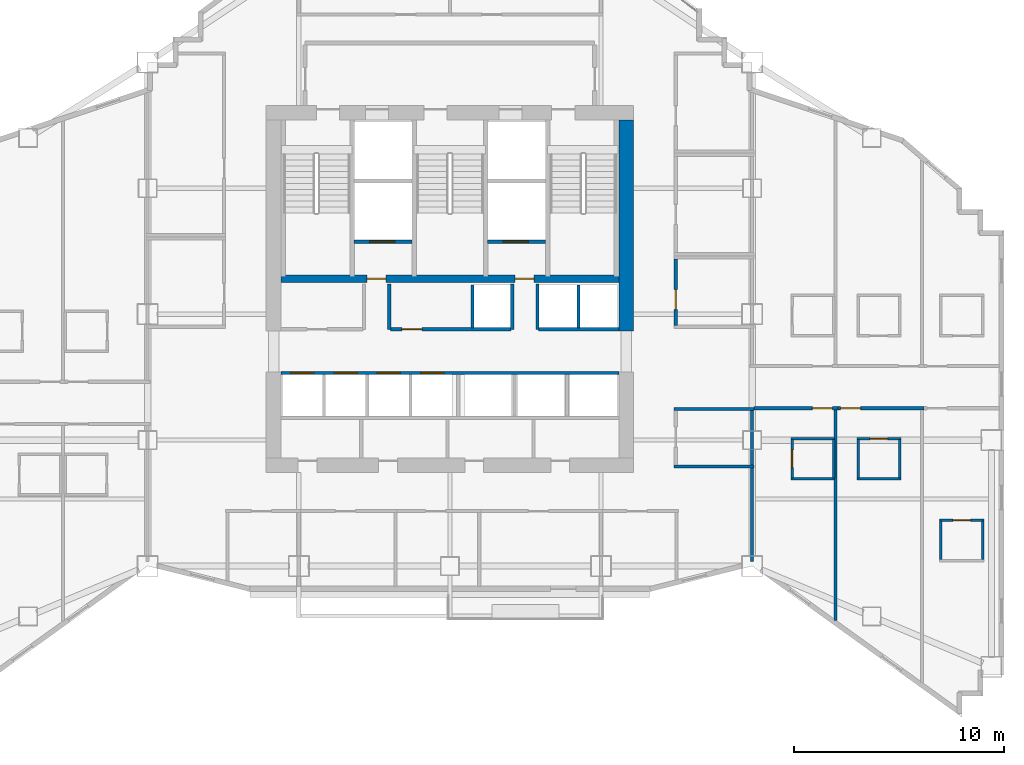
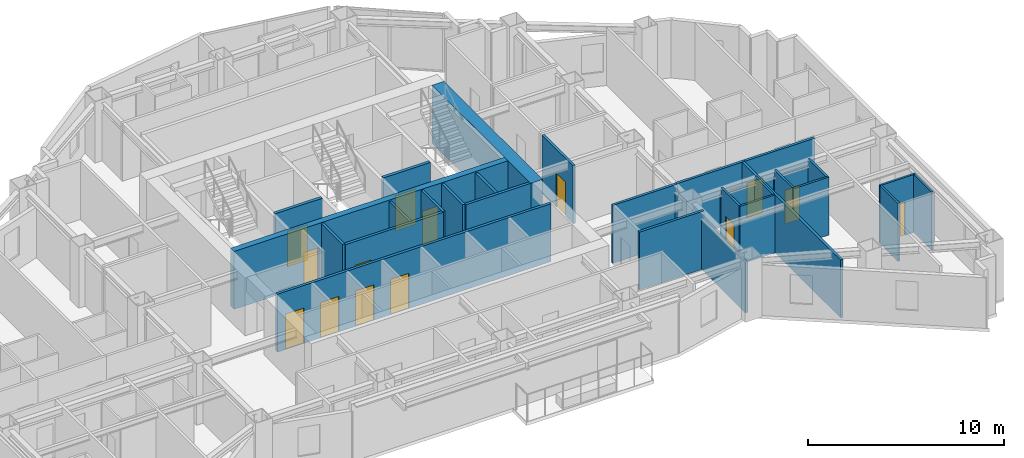
# One storey, part 8 of 13: 31 walls, 15 doors, 15 openings.
"""IFC4 building model written with IfcOpenShell, lengths in metres."""

from ifc_helpers import new_model, si_unit, direction, frame, frame_2d, origin, place, context, subcontext, project, spatial, rectangle, extrude, material, layer, layer_set, type_object, element, fill, save


model = new_model("IFC4")

# Units and contexts
model_context = context("Model", 3, precision=1e-05, world=origin(), true_north=direction((0.0, 1.0)))
body_context = subcontext(model_context, "Body", "Model", "MODEL_VIEW")
ifc_project = project(units=[si_unit("LENGTHUNIT", "METRE"), si_unit("AREAUNIT", "SQUARE_METRE"), si_unit("VOLUMEUNIT", "CUBIC_METRE"), si_unit("PLANEANGLEUNIT", "RADIAN"), si_unit("MASSUNIT", "GRAM", prefix="KILO")], contexts=[model_context])

# Site, building, storey
site_placement = place(None, origin())
site = spatial("IfcSite", under=ifc_project, at=site_placement, CompositionType="ELEMENT")
building_placement = place(site_placement, origin())
building = spatial("IfcBuilding", under=site, at=building_placement, Name="Haolan Belvedere Tower", CompositionType="ELEMENT")
storey_placement = place(building_placement, frame((0.0, 0.0, 117.39990234375)))
storey = spatial("IfcBuildingStorey", under=building, at=storey_placement, Name="L29", CompositionType="ELEMENT", Elevation=117.39990234375)

# Wall
ifc_material_1 = material(Name="Concrete C60/75", Category="concrete")
ifc_layer_1 = layer(ifc_material_1, 0.699951171875, Name="Concrete C60/75")
ifc_layer_set_1 = layer_set([ifc_layer_1], Name="Concrete C60/75")
wall_type_1 = type_object("IfcWallType", Name="WL-CORE-700", PredefinedType="SHEAR", material=ifc_layer_set_1)
wall_1_placement = place(storey_placement, frame((46.800048828125, 32.800048828125, 0.0), z_axis=(0.0, 0.0, 1.0), x_axis=(0.0, 1.0, 0.0)))
element("IfcWall", 1, at=wall_1_placement, inside=storey, type_object=wall_type_1, Name="L29 central core shear wall EN", PredefinedType="SHEAR", context=body_context, shape_type="SweptSolid", body=[
    extrude(rectangle(XDim=10.050048828125, YDim=0.699951171875, at=frame_2d((5.02490234375, 0.0))), origin(), (0.0, 0.0, 1.0), 3.60009765625),
])

# Wall, opening, door
ifc_material_2 = material(Name="Double gypsum acoustic stud partition", Category="masonry")
ifc_layer_2 = layer(ifc_material_2, 0.14990234375, Name="Double gypsum acoustic stud partition")
ifc_layer_set_2 = layer_set([ifc_layer_2], Name="Double gypsum acoustic stud partition")
wall_type_2 = type_object("IfcWallType", Name="WL-PART-150", PredefinedType="PARTITIONING", material=ifc_layer_set_2)
wall_2_placement = place(storey_placement, frame((49.159912109375, 33.06005859375, 0.0), z_axis=(0.0, 0.0, 1.0), x_axis=(0.0, 1.0, 0.0)))
wall_2 = element("IfcWall", 2, at=wall_2_placement, inside=storey, type_object=wall_type_2, Name="L29 interior partition IW-L29-AWC-W", PredefinedType="PARTITIONING", context=body_context, shape_type="SweptSolid", body=[
    extrude(rectangle(XDim=3.179931640625, YDim=0.14990234375, at=frame_2d((1.58984375, 0.0))), origin(), (0.0, 0.0, 1.0), 3.60009765625),
])
opening_1_placement = place(wall_2_placement, frame((0.760009765625, 0.0, 0.0)))
opening_1 = element("IfcOpeningElement", 3, at=opening_1_placement, cuts=wall_2, Name="Opening ID-03", PredefinedType="OPENING", context=body_context, shape_type="SweptSolid", body=[
    extrude(rectangle(XDim=0.949951171875, YDim=2.1201171875, at=frame_2d((0.47509765625, 1.06005859375))), frame((0.0, 0.0849609375, 0.0), z_axis=(0.0, -1.0, 0.0), x_axis=(1.0, 0.0, 0.0)), (0.0, 0.0, 1.0), 0.169921875),
])
ifc_material_3 = material(Name="Painted solid-core timber", Category="wood")
door_type_1 = type_object("IfcDoorType", Name="DR-INT-950", OperationType="NOTDEFINED", PredefinedType="DOOR", material=ifc_material_3)
door_1_placement = place(opening_1_placement, origin())
door_1 = element("IfcDoor", 4, at=door_1_placement, inside=storey, type_object=door_type_1, Name="L29 door ID-L29-AWC", OperationType="SINGLE_SWING_LEFT", OverallHeight=2.1201171875, OverallWidth=0.949951171875, PredefinedType="DOOR", context=body_context, shape_type="SweptSolid", body=[
    extrude(rectangle(XDim=0.949951171875, YDim=2.1201171875, at=frame_2d((0.47509765625, 1.06005859375))), frame((0.0, 0.02490234375, 0.0), z_axis=(0.0, -1.0, 0.0), x_axis=(1.0, 0.0, 0.0)), (0.0, 0.0, 1.0), 0.050048828125),
])
fill(opening_1, door_1)

# Walls
for number, where, z_axis, x_axis, name in (
    (5, (49.080078125, 29.080078125, 0.0), (0.0, 0.0, 1.0), (1.0, 0.0, 0.0), "L29 interior partition IW-L29-PKTE-N"),
    (6, (49.080078125, 26.35009765625, 0.0), (0.0, 0.0, 1.0), (1.0, 0.0, 0.0), "L29 interior partition IW-L29-PKTE-S"),
):
    element("IfcWall", number, at=place(storey_placement, frame(where, z_axis=z_axis, x_axis=x_axis)), inside=storey, type_object=wall_type_2, Name=name, PredefinedType="PARTITIONING", context=body_context, shape_type="SweptSolid", body=[
        extrude(rectangle(XDim=3.7998046875, YDim=0.14990234375, at=frame_2d((1.89990234375, 0.0))), origin(), (0.0, 0.0, 1.0), 3.60009765625),
    ])
wall_3_placement = place(storey_placement, frame((52.800048828125, 26.409912109375, 0.0), z_axis=(0.0, 0.0, 1.0), x_axis=(0.0, 1.0, 0.0)))
element("IfcWall", 7, at=wall_3_placement, inside=storey, type_object=wall_type_2, Name="L29 interior partition IW-L29-PKTE-E", PredefinedType="PARTITIONING", context=body_context, shape_type="SweptSolid", body=[
    extrude(rectangle(XDim=2.610107421875, YDim=0.14990234375, at=frame_2d((1.30517578125, 0.0))), origin(), (0.0, 0.0, 1.0), 3.14501953125),
])

# Wall, opening, door
wall_4_placement = place(storey_placement, frame((52.882080078125, 29.1201171875, 0.0), z_axis=(0.0, 0.0, 1.0), x_axis=(1.0, 0.0, 0.0)))
wall_4 = element("IfcWall", 8, at=wall_4_placement, inside=storey, type_object=wall_type_2, Name="L29 interior partition IW-L29-T4S1-N", PredefinedType="PARTITIONING", context=body_context, shape_type="SweptSolid", body=[
    extrude(rectangle(XDim=3.997802734375, YDim=0.14990234375, at=frame_2d((1.9990234375, 0.0))), origin(), (0.0, 0.0, 1.0), 3.60009765625),
])
opening_2_placement = place(wall_4_placement, frame((3.740478515625, 0.0, 0.0), z_axis=(0.0, 0.0, 1.0), x_axis=(-1.0, 0.0, 0.0)))
opening_2 = element("IfcOpeningElement", 9, at=opening_2_placement, cuts=wall_4, Name="Opening ID-02", PredefinedType="OPENING", context=body_context, shape_type="SweptSolid", body=[
    extrude(rectangle(XDim=0.949951171875, YDim=2.14990234375, at=frame_2d((0.47509765625, 1.074951171875))), frame((0.0, 0.0849609375, 0.0), z_axis=(0.0, -1.0, 0.0), x_axis=(1.0, 0.0, 0.0)), (0.0, 0.0, 1.0), 0.169921875),
])
ifc_material_4 = material(Name="Acoustic oak veneer fire-rated timber", Category="wood")
door_type_2 = type_object("IfcDoorType", Name="DR-GUEST-950", OperationType="NOTDEFINED", PredefinedType="DOOR", material=ifc_material_4)
door_2_placement = place(opening_2_placement, origin())
door_2 = element("IfcDoor", 10, at=door_2_placement, inside=storey, type_object=door_type_2, Name="L29 door ID-L29-T4S1-ENT", OperationType="SINGLE_SWING_LEFT", OverallHeight=2.14990234375, OverallWidth=0.949951171875, PredefinedType="DOOR", context=body_context, shape_type="SweptSolid", body=[
    extrude(rectangle(XDim=0.949951171875, YDim=2.14990234375, at=frame_2d((0.47509765625, 1.074951171875))), frame((0.0, 0.02490234375, 0.0), z_axis=(0.0, -1.0, 0.0), x_axis=(1.0, 0.0, 0.0)), (0.0, 0.0, 1.0), 0.050048828125),
])
fill(opening_2, door_2)

# Walls
wall_5_placement = place(storey_placement, frame((52.800048828125, 21.818603515625, 0.0), z_axis=(0.0, 0.0, 1.0), x_axis=(0.0, 1.0, 0.0)))
element("IfcWall", 11, at=wall_5_placement, inside=storey, type_object=wall_type_2, Name="L29 interior partition IW-L29-T4S1-W", PredefinedType="PARTITIONING", context=body_context, shape_type="SweptSolid", body=[
    extrude(rectangle(XDim=4.471435546875, YDim=0.14990234375, at=frame_2d((2.23583984375, 0.0))), origin(), (0.0, 0.0, 1.0), 3.14501953125),
])
wall_6_placement = place(storey_placement, frame((56.780029296875, 19.01171875, 0.0), z_axis=(0.0, 0.0, 1.0), x_axis=(0.0, 1.0, 0.0)))
element("IfcWall", 12, at=wall_6_placement, inside=storey, type_object=wall_type_2, Name="L29 interior partition IW-L29-T4S1-E", PredefinedType="PARTITIONING", context=body_context, shape_type="SweptSolid", body=[
    extrude(rectangle(XDim=10.04833984375, YDim=0.14990234375, at=frame_2d((5.024169921875, 0.0))), origin(), (0.0, 0.0, 1.0), 3.60009765625),
])

# Wall, opening, door
wall_7_placement = place(storey_placement, frame((56.882080078125, 29.1201171875, 0.0), z_axis=(0.0, 0.0, 1.0), x_axis=(1.0, 0.0, 0.0)))
wall_7 = element("IfcWall", 13, at=wall_7_placement, inside=storey, type_object=wall_type_2, Name="L29 interior partition IW-L29-T4S2-N", PredefinedType="PARTITIONING", context=body_context, shape_type="SweptSolid", body=[
    extrude(rectangle(XDim=4.10791015625, YDim=0.14990234375, at=frame_2d((2.053955078125, 0.0))), origin(), (0.0, 0.0, 1.0), 3.60009765625),
])
opening_3_placement = place(wall_7_placement, frame((1.08984375, 0.0, 0.0), z_axis=(0.0, 0.0, 1.0), x_axis=(-1.0, 0.0, 0.0)))
opening_3 = element("IfcOpeningElement", 14, at=opening_3_placement, cuts=wall_7, Name="Opening ID-02", PredefinedType="OPENING", context=body_context, shape_type="SweptSolid", body=[
    extrude(rectangle(XDim=0.949951171875, YDim=2.14990234375, at=frame_2d((0.47509765625, 1.074951171875))), frame((0.0, 0.0849609375, 0.0), z_axis=(0.0, -1.0, 0.0), x_axis=(1.0, 0.0, 0.0)), (0.0, 0.0, 1.0), 0.169921875),
])
door_3_placement = place(opening_3_placement, origin())
door_3 = element("IfcDoor", 15, at=door_3_placement, inside=storey, type_object=door_type_2, Name="L29 door ID-L29-T4S2-ENT", OperationType="SINGLE_SWING_RIGHT", OverallHeight=2.14990234375, OverallWidth=0.949951171875, PredefinedType="DOOR", context=body_context, shape_type="SweptSolid", body=[
    extrude(rectangle(XDim=0.949951171875, YDim=2.14990234375, at=frame_2d((0.47509765625, 1.074951171875))), frame((0.0, 0.02490234375, 0.0), z_axis=(0.0, -1.0, 0.0), x_axis=(1.0, 0.0, 0.0)), (0.0, 0.0, 1.0), 0.050048828125),
])
fill(opening_3, door_3)

# Walls
ifc_material_5 = material(Name="Gypsum fire shaftwall assembly", Category="masonry")
ifc_layer_3 = layer(ifc_material_5, 0.1650390625, Name="Gypsum fire shaftwall assembly")
ifc_layer_set_3 = layer_set([ifc_layer_3], Name="Gypsum fire shaftwall assembly")
wall_type_3 = type_object("IfcWallType", Name="WL-SHAFT-160", PredefinedType="SOLIDWALL", material=ifc_layer_set_3)
for number, where, z_axis, x_axis, name in (
    (16, (35.510009765625, 32.8798828125, 0.0), (0.0, 0.0, 1.0), (0.0, 1.0, 0.0), "L29 interior partition IW-L29-SVP-E-SV1"),
    (17, (41.3701171875, 32.8798828125, 0.0), (0.0, 0.0, 1.0), (0.0, 1.0, 0.0), "L29 interior partition IW-L29-SVP-W-SV2"),
    (18, (42.570068359375, 32.8798828125, 0.0), (0.0, 0.0, 1.0), (0.0, 1.0, 0.0), "L29 interior partition IW-L29-SVP-E-SV2"),
):
    element("IfcWall", number, at=place(storey_placement, frame(where, z_axis=z_axis, x_axis=x_axis)), inside=storey, type_object=wall_type_3, Name=name, PredefinedType="SOLIDWALL", context=body_context, shape_type="SweptSolid", body=[
        extrude(rectangle(XDim=2.170166015625, YDim=0.14990234375, at=frame_2d((1.0849609375, 0.0))), origin(), (0.0, 0.0, 1.0), 3.60009765625),
    ])

# Wall, opening, door
wall_8_placement = place(storey_placement, frame((35.570068359375, 32.8798828125, 0.0), z_axis=(0.0, 0.0, 1.0), x_axis=(1.0, 0.0, 0.0)))
wall_8 = element("IfcWall", 19, at=wall_8_placement, inside=storey, type_object=wall_type_3, Name="L29 interior partition IW-L29-ROW-PN2", PredefinedType="SOLIDWALL", context=body_context, shape_type="SweptSolid", body=[
    extrude(rectangle(XDim=5.739990234375, YDim=0.159912109375, at=frame_2d((2.8701171875, 0.0))), origin(), (0.0, 0.0, 1.0), 3.60009765625),
])
opening_4_placement = place(wall_8_placement, frame((1.489990234375, 0.0, 0.0), z_axis=(0.0, 0.0, 1.0), x_axis=(-1.0, 0.0, 0.0)))
opening_4 = element("IfcOpeningElement", 20, at=opening_4_placement, cuts=wall_8, Name="Opening ID-03", PredefinedType="OPENING", context=body_context, shape_type="SweptSolid", body=[
    extrude(rectangle(XDim=0.949951171875, YDim=2.1201171875, at=frame_2d((0.47509765625, 1.06005859375))), frame((0.0, 0.08984375, 0.0), z_axis=(0.0, -1.0, 0.0), x_axis=(1.0, 0.0, 0.0)), (0.0, 0.0, 1.0), 0.179931640625),
])
door_4_placement = place(opening_4_placement, origin())
door_4 = element("IfcDoor", 21, at=door_4_placement, inside=storey, type_object=door_type_1, Name="L29 door ID-L29-CD-RPLE", OperationType="SINGLE_SWING_RIGHT", OverallHeight=2.1201171875, OverallWidth=0.949951171875, PredefinedType="DOOR", context=body_context, shape_type="SweptSolid", body=[
    extrude(rectangle(XDim=0.949951171875, YDim=2.1201171875, at=frame_2d((0.47509765625, 1.06005859375))), frame((0.0, 0.02490234375, 0.0), z_axis=(0.0, -1.0, 0.0), x_axis=(1.0, 0.0, 0.0)), (0.0, 0.0, 1.0), 0.050048828125),
])
fill(opening_4, door_4)

# Walls
wall_9_placement = place(storey_placement, frame((42.6298828125, 32.8798828125, 0.0), z_axis=(0.0, 0.0, 1.0), x_axis=(1.0, 0.0, 0.0)))
element("IfcWall", 22, at=wall_9_placement, inside=storey, type_object=wall_type_3, Name="L29 interior partition IW-L29-ROW-PN3", PredefinedType="SOLIDWALL", context=body_context, shape_type="SweptSolid", body=[
    extrude(rectangle(XDim=3.820068359375, YDim=0.159912109375, at=frame_2d((1.91015625, 0.0))), origin(), (0.0, 0.0, 1.0), 3.60009765625),
])
for number, where, z_axis, x_axis, name in (
    (23, (39.469970703125, 32.949951171875, 0.0), (0.0, 0.0, 1.0), (0.0, 1.0, 0.0), "L29 interior partition IW-L29-DIV-PL4R"),
    (24, (44.530029296875, 32.949951171875, 0.0), (0.0, 0.0, 1.0), (0.0, 1.0, 0.0), "L29 interior partition IW-L29-DIV-PH2"),
):
    element("IfcWall", number, at=place(storey_placement, frame(where, z_axis=z_axis, x_axis=x_axis)), inside=storey, type_object=wall_type_3, Name=name, PredefinedType="SOLIDWALL", context=body_context, shape_type="SweptSolid", body=[
        extrude(rectangle(XDim=2.050048828125, YDim=0.14990234375, at=frame_2d((1.02490234375, 0.0))), origin(), (0.0, 0.0, 1.0), 3.60009765625),
    ])

# Wall, openings, doors
wall_10_placement = place(storey_placement, frame((30.35009765625, 30.800048828125, 0.0), z_axis=(0.0, 0.0, 1.0), x_axis=(1.0, 0.0, 0.0)))
wall_10 = element("IfcWall", 25, at=wall_10_placement, inside=storey, type_object=wall_type_3, Name="L29 interior partition IW-L29-ROW-PS", PredefinedType="SOLIDWALL", context=body_context, shape_type="SweptSolid", body=[
    extrude(rectangle(XDim=16.099853515625, YDim=0.159912109375, at=frame_2d((8.0498046875, 0.0))), origin(), (0.0, 0.0, 1.0), 3.60009765625),
])
opening_5_placement = place(wall_10_placement, frame((0.469970703125, 0.0, 0.0)))
opening_5 = element("IfcOpeningElement", 26, at=opening_5_placement, cuts=wall_10, Name="Opening LD-01", PredefinedType="OPENING", context=body_context, shape_type="SweptSolid", body=[
    extrude(rectangle(XDim=1.10009765625, YDim=2.199951171875, at=frame_2d((0.550048828125, 1.10009765625))), frame((0.0, 0.08984375, 0.0), z_axis=(0.0, -1.0, 0.0), x_axis=(1.0, 0.0, 0.0)), (0.0, 0.0, 1.0), 0.179931640625),
])
opening_6_placement = place(wall_10_placement, frame((2.530029296875, 0.0, 0.0)))
opening_6 = element("IfcOpeningElement", 27, at=opening_6_placement, cuts=wall_10, Name="Opening LD-01", PredefinedType="OPENING", context=body_context, shape_type="SweptSolid", body=[
    extrude(rectangle(XDim=1.10009765625, YDim=2.199951171875, at=frame_2d((0.550048828125, 1.10009765625))), frame((0.0, 0.08984375, 0.0), z_axis=(0.0, -1.0, 0.0), x_axis=(1.0, 0.0, 0.0)), (0.0, 0.0, 1.0), 0.179931640625),
])
opening_7_placement = place(wall_10_placement, frame((4.590087890625, 0.0, 0.0)))
opening_7 = element("IfcOpeningElement", 28, at=opening_7_placement, cuts=wall_10, Name="Opening LD-01", PredefinedType="OPENING", context=body_context, shape_type="SweptSolid", body=[
    extrude(rectangle(XDim=1.10009765625, YDim=2.199951171875, at=frame_2d((0.550048828125, 1.10009765625))), frame((0.0, 0.08984375, 0.0), z_axis=(0.0, -1.0, 0.0), x_axis=(1.0, 0.0, 0.0)), (0.0, 0.0, 1.0), 0.179931640625),
])
opening_8_placement = place(wall_10_placement, frame((6.64990234375, 0.0, 0.0)))
opening_8 = element("IfcOpeningElement", 29, at=opening_8_placement, cuts=wall_10, Name="Opening LD-01", PredefinedType="OPENING", context=body_context, shape_type="SweptSolid", body=[
    extrude(rectangle(XDim=1.10009765625, YDim=2.199951171875, at=frame_2d((0.550048828125, 1.10009765625))), frame((0.0, 0.08984375, 0.0), z_axis=(0.0, -1.0, 0.0), x_axis=(1.0, 0.0, 0.0)), (0.0, 0.0, 1.0), 0.179931640625),
])
ifc_material_6 = material(Name="Brushed champagne stainless steel 316L", Category="steel")
door_type_3 = type_object("IfcDoorType", Name="DR-LIFT-1100", OperationType="SLIDING_TO_LEFT", PredefinedType="DOOR", material=ifc_material_6)
door_5_placement = place(opening_5_placement, origin())
door_5 = element("IfcDoor", 30, at=door_5_placement, inside=storey, type_object=door_type_3, Name="L29 door ID-L29-LD-PM1", OperationType="SLIDING_TO_LEFT", OverallHeight=2.199951171875, OverallWidth=1.10009765625, PredefinedType="DOOR", context=body_context, shape_type="SweptSolid", body=[
    extrude(rectangle(XDim=1.10009765625, YDim=2.199951171875, at=frame_2d((0.550048828125, 1.10009765625))), frame((0.0, 0.02490234375, 0.0), z_axis=(0.0, -1.0, 0.0), x_axis=(1.0, 0.0, 0.0)), (0.0, 0.0, 1.0), 0.050048828125),
])
fill(opening_5, door_5)
door_6_placement = place(opening_6_placement, origin())
door_6 = element("IfcDoor", 31, at=door_6_placement, inside=storey, type_object=door_type_3, Name="L29 door ID-L29-LD-PM2", OperationType="SLIDING_TO_LEFT", OverallHeight=2.199951171875, OverallWidth=1.10009765625, PredefinedType="DOOR", context=body_context, shape_type="SweptSolid", body=[
    extrude(rectangle(XDim=1.10009765625, YDim=2.199951171875, at=frame_2d((0.550048828125, 1.10009765625))), frame((0.0, 0.02490234375, 0.0), z_axis=(0.0, -1.0, 0.0), x_axis=(1.0, 0.0, 0.0)), (0.0, 0.0, 1.0), 0.050048828125),
])
fill(opening_6, door_6)
door_7_placement = place(opening_7_placement, origin())
door_7 = element("IfcDoor", 32, at=door_7_placement, inside=storey, type_object=door_type_3, Name="L29 door ID-L29-LD-PM3", OperationType="SLIDING_TO_LEFT", OverallHeight=2.199951171875, OverallWidth=1.10009765625, PredefinedType="DOOR", context=body_context, shape_type="SweptSolid", body=[
    extrude(rectangle(XDim=1.10009765625, YDim=2.199951171875, at=frame_2d((0.550048828125, 1.10009765625))), frame((0.0, 0.02490234375, 0.0), z_axis=(0.0, -1.0, 0.0), x_axis=(1.0, 0.0, 0.0)), (0.0, 0.0, 1.0), 0.050048828125),
])
fill(opening_7, door_7)
door_8_placement = place(opening_8_placement, origin())
door_8 = element("IfcDoor", 33, at=door_8_placement, inside=storey, type_object=door_type_3, Name="L29 door ID-L29-LD-PM4", OperationType="SLIDING_TO_LEFT", OverallHeight=2.199951171875, OverallWidth=1.10009765625, PredefinedType="DOOR", context=body_context, shape_type="SweptSolid", body=[
    extrude(rectangle(XDim=1.10009765625, YDim=2.199951171875, at=frame_2d((0.550048828125, 1.10009765625))), frame((0.0, 0.02490234375, 0.0), z_axis=(0.0, -1.0, 0.0), x_axis=(1.0, 0.0, 0.0)), (0.0, 0.0, 1.0), 0.050048828125),
])
fill(opening_8, door_8)

# Wall, opening, door
ifc_material_7 = material(Name="Precast concrete C40/50", Category="concrete")
ifc_layer_4 = layer(ifc_material_7, 0.179931640625, Name="Precast concrete C40/50")
ifc_layer_set_4 = layer_set([ifc_layer_4], Name="Precast concrete C40/50")
wall_type_4 = type_object("IfcWallType", Name="WL-SHAFT-180", PredefinedType="SOLIDWALL", material=ifc_layer_set_4)
wall_11_placement = place(storey_placement, frame((33.8349609375, 37.050048828125, 0.0), z_axis=(0.0, 0.0, 1.0), x_axis=(1.0, 0.0, 0.0)))
wall_11 = element("IfcWall", 34, at=wall_11_placement, inside=storey, type_object=wall_type_4, Name="L29 interior partition IW-L29-SV1-S", PredefinedType="SOLIDWALL", context=body_context, shape_type="SweptSolid", body=[
    extrude(rectangle(XDim=2.77001953125, YDim=0.179931640625, at=frame_2d((1.385009765625, 0.0))), origin(), (0.0, 0.0, 1.0), 3.60009765625),
])
opening_9_placement = place(wall_11_placement, frame((1.945068359375, 0.0, 0.0), z_axis=(0.0, 0.0, 1.0), x_axis=(-1.0, 0.0, 0.0)))
opening_9 = element("IfcOpeningElement", 35, at=opening_9_placement, cuts=wall_11, Name="Opening LD-02", PredefinedType="OPENING", context=body_context, shape_type="SweptSolid", body=[
    extrude(rectangle(XDim=1.199951171875, YDim=2.199951171875, at=frame_2d((0.60009765625, 1.10009765625))), frame((0.0, 0.099853515625, 0.0), z_axis=(0.0, -1.0, 0.0), x_axis=(1.0, 0.0, 0.0)), (0.0, 0.0, 1.0), 0.199951171875),
])
door_type_4 = type_object("IfcDoorType", Name="DR-LIFT-1200", OperationType="SLIDING_TO_RIGHT", PredefinedType="DOOR", material=ifc_material_6)
door_9_placement = place(opening_9_placement, origin())
door_9 = element("IfcDoor", 36, at=door_9_placement, inside=storey, type_object=door_type_4, Name="L29 door ID-L29-LD-SV1", OperationType="SLIDING_TO_RIGHT", OverallHeight=2.199951171875, OverallWidth=1.199951171875, PredefinedType="DOOR", context=body_context, shape_type="SweptSolid", body=[
    extrude(rectangle(XDim=1.199951171875, YDim=2.199951171875, at=frame_2d((0.60009765625, 1.10009765625))), frame((0.0, 0.02490234375, 0.0), z_axis=(0.0, -1.0, 0.0), x_axis=(1.0, 0.0, 0.0)), (0.0, 0.0, 1.0), 0.050048828125),
])
fill(opening_9, door_9)

wall_12_placement = place(storey_placement, frame((40.195068359375, 37.050048828125, 0.0), z_axis=(0.0, 0.0, 1.0), x_axis=(1.0, 0.0, 0.0)))
wall_12 = element("IfcWall", 37, at=wall_12_placement, inside=storey, type_object=wall_type_4, Name="L29 interior partition IW-L29-SV2-S", PredefinedType="SOLIDWALL", context=body_context, shape_type="SweptSolid", body=[
    extrude(rectangle(XDim=2.77001953125, YDim=0.179931640625, at=frame_2d((1.385009765625, 0.0))), origin(), (0.0, 0.0, 1.0), 3.60009765625),
])
opening_10_placement = place(wall_12_placement, frame((1.945068359375, 0.0, 0.0), z_axis=(0.0, 0.0, 1.0), x_axis=(-1.0, 0.0, 0.0)))
opening_10 = element("IfcOpeningElement", 38, at=opening_10_placement, cuts=wall_12, Name="Opening LD-02", PredefinedType="OPENING", context=body_context, shape_type="SweptSolid", body=[
    extrude(rectangle(XDim=1.199951171875, YDim=2.199951171875, at=frame_2d((0.60009765625, 1.10009765625))), frame((0.0, 0.099853515625, 0.0), z_axis=(0.0, -1.0, 0.0), x_axis=(1.0, 0.0, 0.0)), (0.0, 0.0, 1.0), 0.199951171875),
])
door_10_placement = place(opening_10_placement, origin())
door_10 = element("IfcDoor", 39, at=door_10_placement, inside=storey, type_object=door_type_4, Name="L29 door ID-L29-LD-SV2", OperationType="SLIDING_TO_RIGHT", OverallHeight=2.199951171875, OverallWidth=1.199951171875, PredefinedType="DOOR", context=body_context, shape_type="SweptSolid", body=[
    extrude(rectangle(XDim=1.199951171875, YDim=2.199951171875, at=frame_2d((0.60009765625, 1.10009765625))), frame((0.0, 0.02490234375, 0.0), z_axis=(0.0, -1.0, 0.0), x_axis=(1.0, 0.0, 0.0)), (0.0, 0.0, 1.0), 0.050048828125),
])
fill(opening_10, door_10)

# Wall, openings, doors
ifc_layer_5 = layer(ifc_material_1, 0.360107421875, Name="Concrete C60/75")
ifc_layer_set_5 = layer_set([ifc_layer_5], Name="Concrete C60/75")
wall_type_5 = type_object("IfcWallType", Name="WL-WEB-350", PredefinedType="SHEAR", material=ifc_layer_set_5)
wall_13_placement = place(storey_placement, frame((30.35009765625, 35.2900390625, 0.0), z_axis=(0.0, 0.0, 1.0), x_axis=(1.0, 0.0, 0.0)))
wall_13 = element("IfcWall", 40, at=wall_13_placement, inside=storey, type_object=wall_type_5, Name="L29 central core internal shear web", PredefinedType="SHEAR", context=body_context, shape_type="SweptSolid", body=[
    extrude(rectangle(XDim=16.099853515625, YDim=0.360107421875, at=frame_2d((8.0498046875, 0.0))), origin(), (0.0, 0.0, 1.0), 3.60009765625),
])
opening_11_placement = place(wall_13_placement, frame((5.0, 0.0, 0.0), z_axis=(0.0, 0.0, 1.0), x_axis=(-1.0, 0.0, 0.0)))
opening_11 = element("IfcOpeningElement", 41, at=opening_11_placement, cuts=wall_13, Name="Opening FD-05", PredefinedType="OPENING", context=body_context, shape_type="SweptSolid", body=[
    extrude(rectangle(XDim=0.89990234375, YDim=2.10009765625, at=frame_2d((0.449951171875, 1.050048828125))), frame((0.0, 0.18994140625, 0.0), z_axis=(0.0, -1.0, 0.0), x_axis=(1.0, 0.0, 0.0)), (0.0, 0.0, 1.0), 0.380126953125),
])
opening_12_placement = place(wall_13_placement, frame((12.059814453125, 0.0, 0.0), z_axis=(0.0, 0.0, 1.0), x_axis=(-1.0, 0.0, 0.0)))
opening_12 = element("IfcOpeningElement", 42, at=opening_12_placement, cuts=wall_13, Name="Opening FD-05", PredefinedType="OPENING", context=body_context, shape_type="SweptSolid", body=[
    extrude(rectangle(XDim=0.89990234375, YDim=2.10009765625, at=frame_2d((0.449951171875, 1.050048828125))), frame((0.0, 0.18994140625, 0.0), z_axis=(0.0, -1.0, 0.0), x_axis=(1.0, 0.0, 0.0)), (0.0, 0.0, 1.0), 0.380126953125),
])
ifc_material_8 = material(Name="Galvanised fire-rated steel", Category="steel")
door_type_5 = type_object("IfcDoorType", Name="DR-FD60-900", OperationType="NOTDEFINED", PredefinedType="DOOR", material=ifc_material_8)
door_11_placement = place(opening_11_placement, origin())
door_11 = element("IfcDoor", 43, at=door_11_placement, inside=storey, type_object=door_type_5, Name="L29 door CD-L29-SVL-SV1", OperationType="SINGLE_SWING_RIGHT", OverallHeight=2.10009765625, OverallWidth=0.89990234375, PredefinedType="DOOR", context=body_context, shape_type="SweptSolid", body=[
    extrude(rectangle(XDim=0.89990234375, YDim=2.10009765625, at=frame_2d((0.449951171875, 1.050048828125))), frame((0.0, 0.02490234375, 0.0), z_axis=(0.0, -1.0, 0.0), x_axis=(1.0, 0.0, 0.0)), (0.0, 0.0, 1.0), 0.050048828125),
])
fill(opening_11, door_11)
door_12_placement = place(opening_12_placement, origin())
door_12 = element("IfcDoor", 44, at=door_12_placement, inside=storey, type_object=door_type_5, Name="L29 door CD-L29-SVL-SV2", OperationType="SINGLE_SWING_RIGHT", OverallHeight=2.10009765625, OverallWidth=0.89990234375, PredefinedType="DOOR", context=body_context, shape_type="SweptSolid", body=[
    extrude(rectangle(XDim=0.89990234375, YDim=2.10009765625, at=frame_2d((0.449951171875, 1.050048828125))), frame((0.0, 0.02490234375, 0.0), z_axis=(0.0, -1.0, 0.0), x_axis=(1.0, 0.0, 0.0)), (0.0, 0.0, 1.0), 0.050048828125),
])
fill(opening_12, door_12)

# Walls
ifc_material_9 = material(Name="Moisture-resistant gypsum tile partition", Category="masonry")
ifc_layer_6 = layer(ifc_material_9, 0.1201171875, Name="Moisture-resistant gypsum tile partition")
ifc_layer_set_6 = layer_set([ifc_layer_6], Name="Moisture-resistant gypsum tile partition")
wall_type_6 = type_object("IfcWallType", Name="WL-WET-120", PredefinedType="PARTITIONING", material=ifc_layer_set_6)
wall_14_placement = place(storey_placement, frame((54.639892578125, 27.669921875, 0.0), z_axis=(0.0, 0.0, 1.0), x_axis=(1.0, 0.0, 0.0)))
element("IfcWall", 45, at=wall_14_placement, inside=storey, type_object=wall_type_6, Name="L29 interior partition IW-L29-T4S1-BN", PredefinedType="PARTITIONING", context=body_context, shape_type="SweptSolid", body=[
    extrude(rectangle(XDim=2.080078125, YDim=0.1201171875, at=frame_2d((1.0400390625, 0.0))), origin(), (0.0, 0.0, 1.0), 3.14501953125),
])
wall_15_placement = place(storey_placement, frame((54.639892578125, 25.75, 0.0), z_axis=(0.0, 0.0, 1.0), x_axis=(1.0, 0.0, 0.0)))
element("IfcWall", 46, at=wall_15_placement, inside=storey, type_object=wall_type_6, Name="L29 interior partition IW-L29-T4S1-BS", PredefinedType="PARTITIONING", context=body_context, shape_type="SweptSolid", body=[
    extrude(rectangle(XDim=2.080078125, YDim=0.1201171875, at=frame_2d((1.0400390625, 0.0))), origin(), (0.0, 0.0, 1.0), 3.60009765625),
])

# Wall, opening, door
wall_16_placement = place(storey_placement, frame((54.699951171875, 25.794921875, 0.0), z_axis=(0.0, 0.0, 1.0), x_axis=(0.0, 1.0, 0.0)))
wall_16 = element("IfcWall", 47, at=wall_16_placement, inside=storey, type_object=wall_type_6, Name="L29 interior partition IW-L29-T4S1-BW", PredefinedType="PARTITIONING", context=body_context, shape_type="SweptSolid", body=[
    extrude(rectangle(XDim=1.830078125, YDim=0.1201171875, at=frame_2d((0.9150390625, 0.0))), origin(), (0.0, 0.0, 1.0), 3.60009765625),
])
opening_13_placement = place(wall_16_placement, frame((1.340087890625, 0.0, 0.0), z_axis=(0.0, 0.0, 1.0), x_axis=(-1.0, 0.0, 0.0)))
opening_13 = element("IfcOpeningElement", 48, at=opening_13_placement, cuts=wall_16, Name="Opening ID-05", PredefinedType="OPENING", context=body_context, shape_type="SweptSolid", body=[
    extrude(rectangle(XDim=0.85009765625, YDim=2.10009765625, at=frame_2d((0.425048828125, 1.050048828125))), frame((0.0, 0.070068359375, 0.0), z_axis=(0.0, -1.0, 0.0), x_axis=(1.0, 0.0, 0.0)), (0.0, 0.0, 1.0), 0.14013671875),
])
ifc_material_10 = material(Name="Moisture-resistant lacquered timber", Category="wood")
door_type_6 = type_object("IfcDoorType", Name="DR-BATH-850", OperationType="NOTDEFINED", PredefinedType="DOOR", material=ifc_material_10)
door_13_placement = place(opening_13_placement, origin())
door_13 = element("IfcDoor", 49, at=door_13_placement, inside=storey, type_object=door_type_6, Name="L29 door ID-L29-T4S1-BATH", OperationType="SINGLE_SWING_RIGHT", OverallHeight=2.10009765625, OverallWidth=0.85009765625, PredefinedType="DOOR", context=body_context, shape_type="SweptSolid", body=[
    extrude(rectangle(XDim=0.85009765625, YDim=2.10009765625, at=frame_2d((0.425048828125, 1.050048828125))), frame((0.0, 0.02490234375, 0.0), z_axis=(0.0, -1.0, 0.0), x_axis=(1.0, 0.0, 0.0)), (0.0, 0.0, 1.0), 0.050048828125),
])
fill(opening_13, door_13)

# Wall
wall_17_placement = place(storey_placement, frame((56.679931640625, 25.794921875, 0.0), z_axis=(0.0, 0.0, 1.0), x_axis=(0.0, 1.0, 0.0)))
element("IfcWall", 50, at=wall_17_placement, inside=storey, type_object=wall_type_6, Name="L29 interior partition IW-L29-T4S1-BE", PredefinedType="PARTITIONING", context=body_context, shape_type="SweptSolid", body=[
    extrude(rectangle(XDim=1.830078125, YDim=0.1201171875, at=frame_2d((0.9150390625, 0.0))), origin(), (0.0, 0.0, 1.0), 3.60009765625),
])

# Wall, opening, door
wall_18_placement = place(storey_placement, frame((57.784912109375, 27.669921875, 0.0), z_axis=(0.0, 0.0, 1.0), x_axis=(1.0, 0.0, 0.0)))
wall_18 = element("IfcWall", 51, at=wall_18_placement, inside=storey, type_object=wall_type_6, Name="L29 interior partition IW-L29-T4S2-BN", PredefinedType="PARTITIONING", context=body_context, shape_type="SweptSolid", body=[
    extrude(rectangle(XDim=2.10009765625, YDim=0.1201171875, at=frame_2d((1.050048828125, 0.0))), origin(), (0.0, 0.0, 1.0), 3.14501953125),
])
opening_14_placement = place(wall_18_placement, frame((1.47509765625, 0.0, 0.0), z_axis=(0.0, 0.0, 1.0), x_axis=(-1.0, 0.0, 0.0)))
opening_14 = element("IfcOpeningElement", 52, at=opening_14_placement, cuts=wall_18, Name="Opening ID-05", PredefinedType="OPENING", context=body_context, shape_type="SweptSolid", body=[
    extrude(rectangle(XDim=0.85009765625, YDim=2.10009765625, at=frame_2d((0.425048828125, 1.050048828125))), frame((0.0, 0.070068359375, 0.0), z_axis=(0.0, -1.0, 0.0), x_axis=(1.0, 0.0, 0.0)), (0.0, 0.0, 1.0), 0.14013671875),
])
door_14_placement = place(opening_14_placement, origin())
door_14 = element("IfcDoor", 53, at=door_14_placement, inside=storey, type_object=door_type_6, Name="L29 door ID-L29-T4S2-BATH", OperationType="SINGLE_SWING_LEFT", OverallHeight=2.10009765625, OverallWidth=0.85009765625, PredefinedType="DOOR", context=body_context, shape_type="SweptSolid", body=[
    extrude(rectangle(XDim=0.85009765625, YDim=2.10009765625, at=frame_2d((0.425048828125, 1.050048828125))), frame((0.0, 0.02490234375, 0.0), z_axis=(0.0, -1.0, 0.0), x_axis=(1.0, 0.0, 0.0)), (0.0, 0.0, 1.0), 0.050048828125),
])
fill(opening_14, door_14)

# Walls
wall_19_placement = place(storey_placement, frame((57.784912109375, 25.75, 0.0), z_axis=(0.0, 0.0, 1.0), x_axis=(1.0, 0.0, 0.0)))
element("IfcWall", 54, at=wall_19_placement, inside=storey, type_object=wall_type_6, Name="L29 interior partition IW-L29-T4S2-BS", PredefinedType="PARTITIONING", context=body_context, shape_type="SweptSolid", body=[
    extrude(rectangle(XDim=2.10009765625, YDim=0.1201171875, at=frame_2d((1.050048828125, 0.0))), origin(), (0.0, 0.0, 1.0), 3.60009765625),
])
for number, where, z_axis, x_axis, name in (
    (55, (57.844970703125, 25.794921875, 0.0), (0.0, 0.0, 1.0), (0.0, 1.0, 0.0), "L29 interior partition IW-L29-T4S2-BW"),
    (56, (59.824951171875, 25.794921875, 0.0), (0.0, 0.0, 1.0), (0.0, 1.0, 0.0), "L29 interior partition IW-L29-T4S2-BE"),
):
    element("IfcWall", number, at=place(storey_placement, frame(where, z_axis=z_axis, x_axis=x_axis)), inside=storey, type_object=wall_type_6, Name=name, PredefinedType="PARTITIONING", context=body_context, shape_type="SweptSolid", body=[
        extrude(rectangle(XDim=1.830078125, YDim=0.1201171875, at=frame_2d((0.9150390625, 0.0))), origin(), (0.0, 0.0, 1.0), 3.60009765625),
    ])

# Wall, opening, door
wall_20_placement = place(storey_placement, frame((61.737060546875, 23.784912109375, 0.0), z_axis=(0.0, 0.0, 1.0), x_axis=(1.0, 0.0, 0.0)))
wall_20 = element("IfcWall", 57, at=wall_20_placement, inside=storey, type_object=wall_type_6, Name="L29 interior partition IW-L29-T4S3-BN", PredefinedType="PARTITIONING", context=body_context, shape_type="SweptSolid", body=[
    extrude(rectangle(XDim=2.099853515625, YDim=0.1201171875, at=frame_2d((1.0498046875, 0.0))), origin(), (0.0, 0.0, 1.0), 3.60009765625),
])
opening_15_placement = place(wall_20_placement, frame((1.47509765625, 0.0, 0.0), z_axis=(0.0, 0.0, 1.0), x_axis=(-1.0, 0.0, 0.0)))
opening_15 = element("IfcOpeningElement", 58, at=opening_15_placement, cuts=wall_20, Name="Opening ID-05", PredefinedType="OPENING", context=body_context, shape_type="SweptSolid", body=[
    extrude(rectangle(XDim=0.85009765625, YDim=2.10009765625, at=frame_2d((0.425048828125, 1.050048828125))), frame((0.0, 0.070068359375, 0.0), z_axis=(0.0, -1.0, 0.0), x_axis=(1.0, 0.0, 0.0)), (0.0, 0.0, 1.0), 0.14013671875),
])
door_15_placement = place(opening_15_placement, origin())
door_15 = element("IfcDoor", 59, at=door_15_placement, inside=storey, type_object=door_type_6, Name="L29 door ID-L29-T4S3-BATH", OperationType="SINGLE_SWING_RIGHT", OverallHeight=2.10009765625, OverallWidth=0.85009765625, PredefinedType="DOOR", context=body_context, shape_type="SweptSolid", body=[
    extrude(rectangle(XDim=0.85009765625, YDim=2.10009765625, at=frame_2d((0.425048828125, 1.050048828125))), frame((0.0, 0.02490234375, 0.0), z_axis=(0.0, -1.0, 0.0), x_axis=(1.0, 0.0, 0.0)), (0.0, 0.0, 1.0), 0.050048828125),
])
fill(opening_15, door_15)

# Walls
for number, where, z_axis, x_axis, name in (
    (60, (61.797119140625, 21.909912109375, 0.0), (0.0, 0.0, 1.0), (0.0, 1.0, 0.0), "L29 interior partition IW-L29-T4S3-BW"),
    (61, (63.777099609375, 21.909912109375, 0.0), (0.0, 0.0, 1.0), (0.0, 1.0, 0.0), "L29 interior partition IW-L29-T4S3-BE"),
):
    element("IfcWall", number, at=place(storey_placement, frame(where, z_axis=z_axis, x_axis=x_axis)), inside=storey, type_object=wall_type_6, Name=name, PredefinedType="PARTITIONING", context=body_context, shape_type="SweptSolid", body=[
        extrude(rectangle(XDim=1.830078125, YDim=0.1201171875, at=frame_2d((0.9150390625, 0.0))), origin(), (0.0, 0.0, 1.0), 3.60009765625),
    ])

save(model, "model.ifc")
